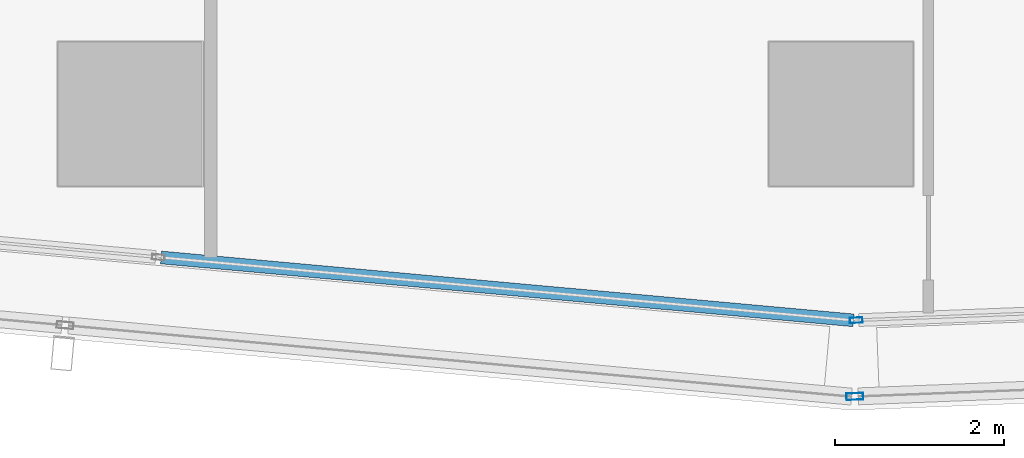
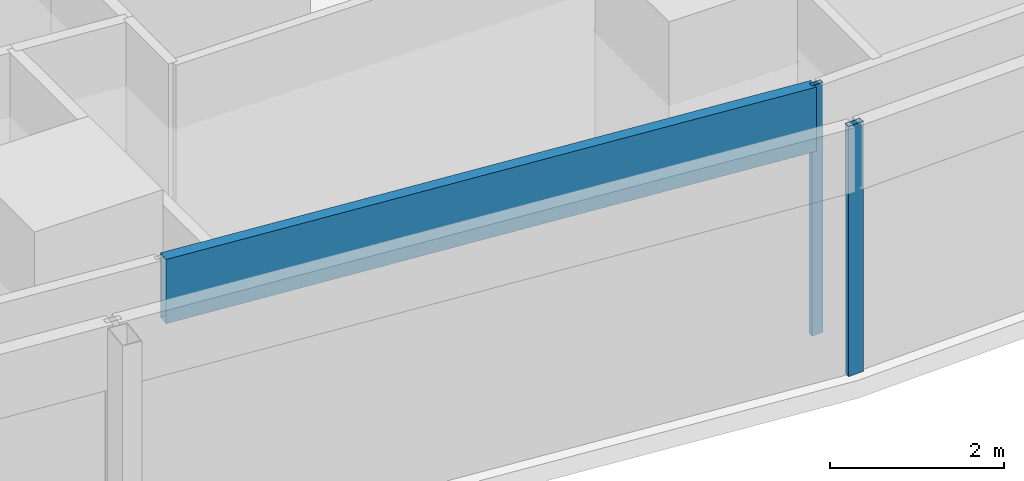
# One storey, part 5 of 40: 3 members, 3 elements without a shape of their own.
"""IFC4 building model written with IfcOpenShell, lengths in metres."""

from ifc_helpers import new_model, si_unit, direction, frame, origin, origin_2d, place, context, subcontext, project, spatial, hollow_rectangle, extrude, material, material_profile, profile_set, type_object, element, aggregate, save


model = new_model("IFC4")

# Units and contexts
model_context = context("Model", 3, precision=1e-05, world=origin(), true_north=direction((0.0, 1.0)))
body_context = subcontext(model_context, "Body", "Model", "MODEL_VIEW")
ifc_project = project(units=[si_unit("LENGTHUNIT", "METRE"), si_unit("AREAUNIT", "SQUARE_METRE"), si_unit("VOLUMEUNIT", "CUBIC_METRE"), si_unit("PLANEANGLEUNIT", "RADIAN"), si_unit("MASSUNIT", "GRAM", prefix="KILO")], contexts=[model_context])

# Site, building, storey
site_placement = place(None, origin())
site = spatial("IfcSite", under=ifc_project, at=site_placement, CompositionType="ELEMENT")
building_placement = place(site_placement, origin())
building = spatial("IfcBuilding", under=site, at=building_placement, Name="Rekha Terrace Tower", CompositionType="ELEMENT")
storey_placement = place(building_placement, frame((0.0, 0.0, 106.550048828125)))
storey = spatial("IfcBuildingStorey", under=building, at=storey_placement, Name="L26", CompositionType="ELEMENT", Elevation=106.550048828125)

# Curtain wall, member
ifc_material_1 = material(Name="Aluminium framing", Category="aluminium")
curtain_wall_type_1 = type_object("IfcCurtainWallType", Name="CW1 double skin inner glazing", PredefinedType="USERDEFINED", material=ifc_material_1)
curtain_wall_1_placement = place(storey_placement, origin())
curtain_wall_1 = element("IfcCurtainWall", 1, at=curtain_wall_1_placement, inside=storey, type_object=curtain_wall_type_1, Name="CW1 double skin inner glazing", ObjectType="DOUBLE SKIN INNER GLAZING", PredefinedType="USERDEFINED")
ifc_material_2 = material(Name="Aluminium mullion section", Category="aluminium")
ifc_material_profile_1 = material_profile(ifc_material_2, hollow_rectangle(XDim=0.06494140625, YDim=0.14990234375, WallThickness=0.00390625, at=origin_2d()), Name="AL RHS 65x150")
ifc_profile_set_1 = profile_set([ifc_material_profile_1], Name="Aluminium mullion section")
member_type_1 = type_object("IfcMemberType", Name="CW1 mullion RHS 65 x 150", PredefinedType="MULLION", material=ifc_profile_set_1)
member_1_placement = place(storey_placement, frame((25.3798828125, 14.363037109375, 0.0), z_axis=(0.0, 0.0, 1.0), x_axis=(-0.038889971345, 0.999243498917, 0.0)))
member_1 = element("IfcMember", 2, at=member_1_placement, type_object=member_type_1, Name="CW1 mullion 1", PredefinedType="MULLION", context=body_context, shape_type="SweptSolid", body=[
    extrude(hollow_rectangle(XDim=0.06494140625, YDim=0.14990234375, WallThickness=0.00390625, at=origin_2d()), origin(), (0.0, 0.0, 1.0), 3.5),
])
aggregate(curtain_wall_1, [member_1])

curtain_wall_2_placement = place(storey_placement, origin())
curtain_wall_2 = element("IfcCurtainWall", 3, at=curtain_wall_2_placement, inside=storey, type_object=curtain_wall_type_1, Name="CW1 double skin inner glazing", ObjectType="DOUBLE SKIN INNER GLAZING", PredefinedType="USERDEFINED")
ifc_material_3 = material(Name="Insulated aluminium spandrel box", Category="aluminium")
ifc_material_profile_2 = material_profile(ifc_material_3, hollow_rectangle(XDim=0.14990234375, YDim=0.89990234375, WallThickness=0.0029296875, at=origin_2d()), Name="AL SPANDREL BOX 150x900")
ifc_profile_set_2 = profile_set([ifc_material_profile_2], Name="Insulated aluminium spandrel box")
member_type_2 = type_object("IfcMemberType", Name="CW1 spandrel transom 150 x 900", PredefinedType="USERDEFINED", material=ifc_profile_set_2)
member_2_placement = place(storey_placement, frame((17.16650390625, 15.104736328125, 3.050048828125), z_axis=(0.995901971759, -0.090439276017, 0.0), x_axis=(0.090439276017, 0.995901971759, 0.0)))
member_2 = element("IfcMember", 4, at=member_2_placement, type_object=member_type_2, Name="CW1 spandrel transom 2", ObjectType="TRANSOM", PredefinedType="USERDEFINED", context=body_context, shape_type="SweptSolid", body=[
    extrude(hollow_rectangle(XDim=0.14990234375, YDim=0.89990234375, WallThickness=0.0029296875, at=origin_2d()), origin(), (0.0, 0.0, 1.0), 8.214599609375),
])
aggregate(curtain_wall_2, [member_2])

curtain_wall_type_2 = type_object("IfcCurtainWallType", Name="CW2 double skin outer glazing", PredefinedType="USERDEFINED", material=ifc_material_1)
curtain_wall_3_placement = place(storey_placement, origin())
curtain_wall_3 = element("IfcCurtainWall", 5, at=curtain_wall_3_placement, inside=storey, type_object=curtain_wall_type_2, Name="CW2 double skin outer glazing", ObjectType="DOUBLE SKIN OUTER GLAZING", PredefinedType="USERDEFINED")
ifc_material_profile_3 = material_profile(ifc_material_2, hollow_rectangle(XDim=0.080078125, YDim=0.199951171875, WallThickness=0.00390625, at=origin_2d()), Name="AL RHS 80x200")
ifc_profile_set_3 = profile_set([ifc_material_profile_3], Name="Aluminium mullion section")
member_type_3 = type_object("IfcMemberType", Name="CW2 mullion RHS 80 x 200", PredefinedType="MULLION", material=ifc_profile_set_3)
member_3_placement = place(storey_placement, frame((25.364013671875, 13.4619140625, 0.0), z_axis=(0.0, 0.0, 1.0), x_axis=(-0.038889971345, 0.999243498917, 0.0)))
member_3 = element("IfcMember", 6, at=member_3_placement, type_object=member_type_3, Name="CW2 mullion 1", PredefinedType="MULLION", context=body_context, shape_type="SweptSolid", body=[
    extrude(hollow_rectangle(XDim=0.080078125, YDim=0.199951171875, WallThickness=0.00390625, at=origin_2d()), origin(), (0.0, 0.0, 1.0), 3.5),
])
aggregate(curtain_wall_3, [member_3])

save(model, "model.ifc")
